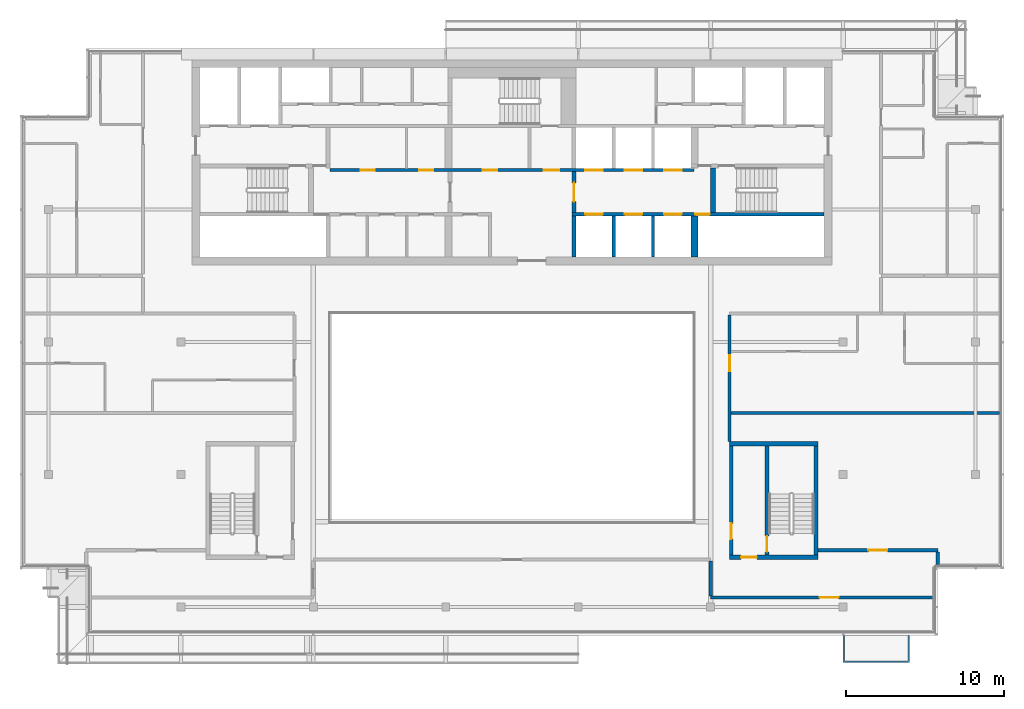
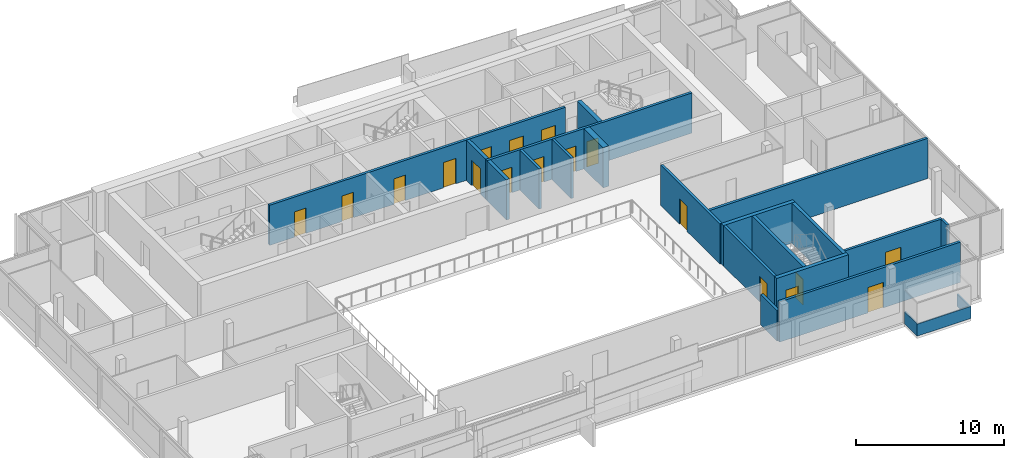
# One storey, part 13 of 22: 20 walls, 18 doors, 18 openings.
"""IFC4 building model written with IfcOpenShell, lengths in metres."""

from ifc_helpers import new_model, si_unit, direction, frame, frame_2d, origin, place, context, subcontext, project, spatial, polyline, rectangle, outline, extrude, material, layer, layer_set, type_object, element, fill, save


model = new_model("IFC4")

# Units and contexts
model_context = context("Model", 3, precision=1e-05, world=origin(), true_north=direction((0.0, 1.0)))
body_context = subcontext(model_context, "Body", "Model", "MODEL_VIEW")
ifc_project = project(units=[si_unit("LENGTHUNIT", "METRE"), si_unit("AREAUNIT", "SQUARE_METRE"), si_unit("VOLUMEUNIT", "CUBIC_METRE"), si_unit("PLANEANGLEUNIT", "RADIAN"), si_unit("MASSUNIT", "GRAM", prefix="KILO")], contexts=[model_context])

# Site, building, storey
site_placement = place(None, origin())
site = spatial("IfcSite", under=ifc_project, at=site_placement, CompositionType="ELEMENT")
building_placement = place(site_placement, origin())
building = spatial("IfcBuilding", under=site, at=building_placement, Name="Saffron Gate Tower", CompositionType="ELEMENT")
storey_placement = place(building_placement, frame((0.0, 0.0, 295.949951171875)))
storey = spatial("IfcBuildingStorey", under=building, at=storey_placement, Name="L72", CompositionType="ELEMENT", Elevation=295.949951171875)

# Wall, opening, door
ifc_material_1 = material(Name="Gypsum board partition on steel studs", Category="steel")
ifc_layer_1 = layer(ifc_material_1, 0.199951171875)
ifc_layer_set_1 = layer_set([ifc_layer_1], Name="CW10 Core partition 200")
wall_type_1 = type_object("IfcWallType", Name="CW10 Core partition 200", PredefinedType="PARTITIONING", material=ifc_layer_set_1)
wall_1_placement = place(storey_placement, frame((101.5, 43.5, 0.0), z_axis=(0.0, 0.0, 1.0), x_axis=(0.0, 1.0, 0.0)))
wall_1 = element("IfcWall", 1, at=wall_1_placement, inside=storey, type_object=wall_type_1, Name="Wall CW10-L72-E-2", PredefinedType="PARTITIONING", context=body_context, shape_type="SweptSolid", body=[
    extrude(rectangle(XDim=6.89990234375, YDim=0.199951171875, at=frame_2d((3.449951171875, 0.0))), origin(), (0.0, 0.0, 1.0), 3.320068359375),
])
opening_1_placement = place(wall_1_placement, frame((1.0, 0.0, 0.0)))
opening_1 = element("IfcOpeningElement", 2, at=opening_1_placement, cuts=wall_1, Name="Opening CR-22", PredefinedType="OPENING", context=body_context, shape_type="SweptSolid", body=[
    extrude(rectangle(XDim=1.0, YDim=2.10009765625, at=frame_2d((0.5, 1.050048828125))), frame((0.0, 0.10986328125, 0.0), z_axis=(0.0, -1.0, 0.0), x_axis=(1.0, 0.0, 0.0)), (0.0, 0.0, 1.0), 0.219970703125),
])
ifc_material_2 = material(Name="Steel fire door set", Category="steel")
door_type_1 = type_object("IfcDoorType", Name="CD4 Lobby door 1000x2100 EI 120", OperationType="NOTDEFINED", PredefinedType="DOOR", material=ifc_material_2)
door_1_placement = place(opening_1_placement, origin())
door_1 = element("IfcDoor", 3, at=door_1_placement, inside=storey, type_object=door_type_1, Name="DOOR CR-22", OperationType="SINGLE_SWING_LEFT", OverallHeight=2.10009765625, OverallWidth=1.0, PredefinedType="DOOR", context=body_context, shape_type="SweptSolid", body=[
    extrude(rectangle(XDim=1.0, YDim=2.10009765625, at=frame_2d((0.5, 1.050048828125))), frame((0.0, 0.02490234375, 0.0), z_axis=(0.0, -1.0, 0.0), x_axis=(1.0, 0.0, 0.0)), (0.0, 0.0, 1.0), 0.050048828125),
])
fill(opening_1, door_1)

# Wall
ifc_material_3 = material(Name="Concrete C50", Category="concrete")
ifc_layer_2 = layer(ifc_material_3, 0.25)
ifc_layer_set_2 = layer_set([ifc_layer_2], Name="CW23 RC core wall 250 C50")
wall_type_2 = type_object("IfcWallType", Name="CW23 RC core wall 250 C50", PredefinedType="SOLIDWALL", material=ifc_layer_set_2)
wall_2_placement = place(storey_placement, frame((91.52490234375, 62.39990234375, 0.0), z_axis=(0.0, 0.0, 1.0), x_axis=(0.0, 1.0, 0.0)))
element("IfcWall", 4, at=wall_2_placement, inside=storey, type_object=wall_type_2, Name="Wall CW23-L72-10", PredefinedType="SOLIDWALL", context=body_context, shape_type="SweptSolid", body=[
    extrude(rectangle(XDim=2.60009765625, YDim=0.25, at=frame_2d((1.300048828125, 0.0))), origin(), (0.0, 0.0, 1.0), 3.320068359375),
])

# Wall, opening, door
wall_3_placement = place(storey_placement, frame((91.52490234375, 65.199951171875, 0.0), z_axis=(0.0, 0.0, 1.0), x_axis=(0.0, 1.0, 0.0)))
wall_3 = element("IfcWall", 5, at=wall_3_placement, inside=storey, type_object=wall_type_2, Name="Wall CW23-L72-18", PredefinedType="SOLIDWALL", context=body_context, shape_type="SweptSolid", body=[
    extrude(rectangle(XDim=2.60009765625, YDim=0.25, at=frame_2d((1.300048828125, 0.0))), origin(), (0.0, 0.0, 1.0), 3.320068359375),
])
opening_2_placement = place(wall_3_placement, frame((0.699951171875, 0.0, 0.0)))
opening_2 = element("IfcOpeningElement", 6, at=opening_2_placement, cuts=wall_3, Name="Opening CR-01", PredefinedType="OPENING", context=body_context, shape_type="SweptSolid", body=[
    extrude(rectangle(XDim=1.199951171875, YDim=2.10009765625, at=frame_2d((0.60009765625, 1.050048828125))), frame((0.0, 0.135009765625, 0.0), z_axis=(0.0, -1.0, 0.0), x_axis=(1.0, 0.0, 0.0)), (0.0, 0.0, 1.0), 0.27001953125),
])
door_type_2 = type_object("IfcDoorType", Name="CD3 Lobby door 1200x2100 EI 120", OperationType="NOTDEFINED", PredefinedType="DOOR", material=ifc_material_2)
door_2_placement = place(opening_2_placement, origin())
door_2 = element("IfcDoor", 7, at=door_2_placement, inside=storey, type_object=door_type_2, Name="DOOR CR-01", OperationType="SINGLE_SWING_RIGHT", OverallHeight=2.10009765625, OverallWidth=1.199951171875, PredefinedType="DOOR", context=body_context, shape_type="SweptSolid", body=[
    extrude(rectangle(XDim=1.199951171875, YDim=2.10009765625, at=frame_2d((0.60009765625, 1.050048828125))), frame((0.0, 0.02490234375, 0.0), z_axis=(0.0, -1.0, 0.0), x_axis=(1.0, 0.0, 0.0)), (0.0, 0.0, 1.0), 0.050048828125),
])
fill(opening_2, door_2)

wall_4_placement = place(storey_placement, frame((103.77490234375, 43.5, 0.0), z_axis=(0.0, 0.0, 1.0), x_axis=(0.0, 1.0, 0.0)))
wall_4 = element("IfcWall", 8, at=wall_4_placement, inside=storey, type_object=wall_type_2, Name="Wall CW23-L72-E-3", PredefinedType="SOLIDWALL", context=body_context, shape_type="SweptSolid", body=[
    extrude(rectangle(XDim=6.89990234375, YDim=0.25, at=frame_2d((3.449951171875, 0.0))), origin(), (0.0, 0.0, 1.0), 3.320068359375),
])
opening_3_placement = place(wall_4_placement, frame((0.199951171875, 0.0, 0.0)))
opening_3 = element("IfcOpeningElement", 9, at=opening_3_placement, cuts=wall_4, Name="Opening CR-23", PredefinedType="OPENING", context=body_context, shape_type="SweptSolid", body=[
    extrude(rectangle(XDim=1.0, YDim=2.10009765625, at=frame_2d((0.5, 1.050048828125))), frame((0.0, 0.135009765625, 0.0), z_axis=(0.0, -1.0, 0.0), x_axis=(1.0, 0.0, 0.0)), (0.0, 0.0, 1.0), 0.27001953125),
])
door_type_3 = type_object("IfcDoorType", Name="CD5 Stair door 1000x2100 EI 120", OperationType="NOTDEFINED", PredefinedType="DOOR", material=ifc_material_2)
door_3_placement = place(opening_3_placement, origin())
door_3 = element("IfcDoor", 10, at=door_3_placement, inside=storey, type_object=door_type_3, Name="DOOR CR-23", OperationType="SINGLE_SWING_RIGHT", OverallHeight=2.10009765625, OverallWidth=1.0, PredefinedType="DOOR", context=body_context, shape_type="SweptSolid", body=[
    extrude(rectangle(XDim=1.0, YDim=2.10009765625, at=frame_2d((0.5, 1.050048828125))), frame((0.0, 0.02490234375, 0.0), z_axis=(0.0, -1.0, 0.0), x_axis=(1.0, 0.0, 0.0)), (0.0, 0.0, 1.0), 0.050048828125),
])
fill(opening_3, door_3)

# Walls
wall_5_placement = place(storey_placement, frame((106.875, 43.5, 0.0), z_axis=(0.0, 0.0, 1.0), x_axis=(0.0, 1.0, 0.0)))
element("IfcWall", 11, at=wall_5_placement, inside=storey, type_object=wall_type_2, Name="Wall CW23-L72-E-4", PredefinedType="SOLIDWALL", context=body_context, shape_type="SweptSolid", body=[
    extrude(rectangle(XDim=6.89990234375, YDim=0.25, at=frame_2d((3.449951171875, 0.0))), origin(), (0.0, 0.0, 1.0), 3.320068359375),
])
ifc_layer_3 = layer(ifc_material_3, 0.449951171875)
ifc_layer_set_3 = layer_set([ifc_layer_3], Name="CW24 RC core wall 450 C50")
wall_type_3 = type_object("IfcWallType", Name="CW24 RC core wall 450 C50", PredefinedType="SOLIDWALL", material=ifc_layer_set_3)
wall_6_placement = place(storey_placement, frame((99.175048828125, 62.39990234375, 0.0), z_axis=(0.0, 0.0, 1.0), x_axis=(0.0, 1.0, 0.0)))
element("IfcWall", 12, at=wall_6_placement, inside=storey, type_object=wall_type_3, Name="Wall CW24-L72-13", PredefinedType="SOLIDWALL", context=body_context, shape_type="SweptSolid", body=[
    extrude(rectangle(XDim=2.60009765625, YDim=0.449951171875, at=frame_2d((1.300048828125, 0.0))), origin(), (0.0, 0.0, 1.0), 3.320068359375),
])
ifc_layer_4 = layer(ifc_material_3, 0.199951171875)
ifc_layer_set_4 = layer_set([ifc_layer_4], Name="CW25 RC core wall 200 C50")
wall_type_4 = type_object("IfcWallType", Name="CW25 RC core wall 200 C50", PredefinedType="SOLIDWALL", material=ifc_layer_set_4)
for number, where, z_axis, x_axis, name in (
    (13, (94.050048828125, 62.39990234375, 0.0), (0.0, 0.0, 1.0), (0.0, 1.0, 0.0), "Wall CW25-L72-11"),
    (14, (96.550048828125, 62.39990234375, 0.0), (0.0, 0.0, 1.0), (0.0, 1.0, 0.0), "Wall CW25-L72-12"),
):
    element("IfcWall", number, at=place(storey_placement, frame(where, z_axis=z_axis, x_axis=x_axis)), inside=storey, type_object=wall_type_4, Name=name, PredefinedType="SOLIDWALL", context=body_context, shape_type="SweptSolid", body=[
        extrude(rectangle(XDim=2.60009765625, YDim=0.199951171875, at=frame_2d((1.300048828125, 0.0))), origin(), (0.0, 0.0, 1.0), 3.320068359375),
    ])

# Wall, openings, doors
wall_7_placement = place(storey_placement, frame((91.39990234375, 65.10009765625, 0.0), z_axis=(0.0, 0.0, 1.0), x_axis=(1.0, 0.0, 0.0)))
wall_7 = element("IfcWall", 15, at=wall_7_placement, inside=storey, type_object=wall_type_4, Name="Wall CW25-L72-15", PredefinedType="SOLIDWALL", context=body_context, shape_type="SweptSolid", body=[
    extrude(rectangle(XDim=16.0, YDim=0.199951171875, at=frame_2d((8.0, 0.0))), origin(), (0.0, 0.0, 1.0), 3.320068359375),
])
opening_4_placement = place(wall_7_placement, frame((0.85009765625, 0.0, 0.0)))
opening_4 = element("IfcOpeningElement", 16, at=opening_4_placement, cuts=wall_7, Name="Opening LD-HR1", PredefinedType="OPENING", context=body_context, shape_type="SweptSolid", body=[
    extrude(rectangle(XDim=1.10009765625, YDim=2.10009765625, at=frame_2d((0.550048828125, 1.050048828125))), frame((0.0, 0.10986328125, 0.0), z_axis=(0.0, -1.0, 0.0), x_axis=(1.0, 0.0, 0.0)), (0.0, 0.0, 1.0), 0.219970703125),
])
opening_5_placement = place(wall_7_placement, frame((3.35009765625, 0.0, 0.0)))
opening_5 = element("IfcOpeningElement", 17, at=opening_5_placement, cuts=wall_7, Name="Opening LD-HR2", PredefinedType="OPENING", context=body_context, shape_type="SweptSolid", body=[
    extrude(rectangle(XDim=1.10009765625, YDim=2.10009765625, at=frame_2d((0.550048828125, 1.050048828125))), frame((0.0, 0.10986328125, 0.0), z_axis=(0.0, -1.0, 0.0), x_axis=(1.0, 0.0, 0.0)), (0.0, 0.0, 1.0), 0.219970703125),
])
opening_6_placement = place(wall_7_placement, frame((5.85009765625, 0.0, 0.0)))
opening_6 = element("IfcOpeningElement", 18, at=opening_6_placement, cuts=wall_7, Name="Opening LD-HR3", PredefinedType="OPENING", context=body_context, shape_type="SweptSolid", body=[
    extrude(rectangle(XDim=1.10009765625, YDim=2.10009765625, at=frame_2d((0.550048828125, 1.050048828125))), frame((0.0, 0.10986328125, 0.0), z_axis=(0.0, -1.0, 0.0), x_axis=(1.0, 0.0, 0.0)), (0.0, 0.0, 1.0), 0.219970703125),
])
opening_7_placement = place(wall_7_placement, frame((7.830078125, 0.0, 0.0)))
opening_7 = element("IfcOpeningElement", 19, at=opening_7_placement, cuts=wall_7, Name="Opening CR-48", PredefinedType="OPENING", context=body_context, shape_type="SweptSolid", body=[
    extrude(rectangle(XDim=0.89990234375, YDim=2.10009765625, at=frame_2d((0.449951171875, 1.050048828125))), frame((0.0, 0.10986328125, 0.0), z_axis=(0.0, -1.0, 0.0), x_axis=(1.0, 0.0, 0.0)), (0.0, 0.0, 1.0), 0.219970703125),
])
door_type_4 = type_object("IfcDoorType", Name="CD2 Riser door 900x2100 EI 60", OperationType="NOTDEFINED", PredefinedType="DOOR", material=ifc_material_2)
door_4_placement = place(opening_7_placement, origin())
door_4 = element("IfcDoor", 20, at=door_4_placement, inside=storey, type_object=door_type_4, Name="DOOR CR-48", OperationType="SINGLE_SWING_RIGHT", OverallHeight=2.10009765625, OverallWidth=0.89990234375, PredefinedType="DOOR", context=body_context, shape_type="SweptSolid", body=[
    extrude(rectangle(XDim=0.89990234375, YDim=2.10009765625, at=frame_2d((0.449951171875, 1.050048828125))), frame((0.0, 0.02490234375, 0.0), z_axis=(0.0, -1.0, 0.0), x_axis=(1.0, 0.0, 0.0)), (0.0, 0.0, 1.0), 0.050048828125),
])
fill(opening_7, door_4)
ifc_material_4 = material(Name="Stainless steel landing door", Category="steel")
door_type_5 = type_object("IfcDoorType", Name="LD Lift landing door 1100x2100 EI 120", OperationType="SLIDING_TO_LEFT", PredefinedType="DOOR", material=ifc_material_4)
door_5_placement = place(opening_4_placement, origin())
door_5 = element("IfcDoor", 21, at=door_5_placement, inside=storey, type_object=door_type_5, Name="LANDING DOOR LD-HR1", OperationType="SLIDING_TO_LEFT", OverallHeight=2.10009765625, OverallWidth=1.10009765625, PredefinedType="DOOR", context=body_context, shape_type="SweptSolid", body=[
    extrude(rectangle(XDim=1.10009765625, YDim=2.10009765625, at=frame_2d((0.550048828125, 1.050048828125))), frame((0.0, 0.02490234375, 0.0), z_axis=(0.0, -1.0, 0.0), x_axis=(1.0, 0.0, 0.0)), (0.0, 0.0, 1.0), 0.050048828125),
])
fill(opening_4, door_5)
door_6_placement = place(opening_5_placement, origin())
door_6 = element("IfcDoor", 22, at=door_6_placement, inside=storey, type_object=door_type_5, Name="LANDING DOOR LD-HR2", OperationType="SLIDING_TO_LEFT", OverallHeight=2.10009765625, OverallWidth=1.10009765625, PredefinedType="DOOR", context=body_context, shape_type="SweptSolid", body=[
    extrude(rectangle(XDim=1.10009765625, YDim=2.10009765625, at=frame_2d((0.550048828125, 1.050048828125))), frame((0.0, 0.02490234375, 0.0), z_axis=(0.0, -1.0, 0.0), x_axis=(1.0, 0.0, 0.0)), (0.0, 0.0, 1.0), 0.050048828125),
])
fill(opening_5, door_6)
door_7_placement = place(opening_6_placement, origin())
door_7 = element("IfcDoor", 23, at=door_7_placement, inside=storey, type_object=door_type_5, Name="LANDING DOOR LD-HR3", OperationType="SLIDING_TO_LEFT", OverallHeight=2.10009765625, OverallWidth=1.10009765625, PredefinedType="DOOR", context=body_context, shape_type="SweptSolid", body=[
    extrude(rectangle(XDim=1.10009765625, YDim=2.10009765625, at=frame_2d((0.550048828125, 1.050048828125))), frame((0.0, 0.02490234375, 0.0), z_axis=(0.0, -1.0, 0.0), x_axis=(1.0, 0.0, 0.0)), (0.0, 0.0, 1.0), 0.050048828125),
])
fill(opening_6, door_7)

wall_8_placement = place(storey_placement, frame((76.050048828125, 67.89990234375, 0.0), z_axis=(0.0, 0.0, 1.0), x_axis=(1.0, 0.0, 0.0)))
wall_8 = element("IfcWall", 24, at=wall_8_placement, inside=storey, type_object=wall_type_4, Name="Wall CW25-L72-20", PredefinedType="SOLIDWALL", context=body_context, shape_type="SweptSolid", body=[
    extrude(rectangle(XDim=23.099853515625, YDim=0.199951171875, at=frame_2d((11.5498046875, 0.0))), origin(), (0.0, 0.0, 1.0), 3.320068359375),
])
opening_8_placement = place(wall_8_placement, frame((1.949951171875, 0.0, 0.0)))
opening_8 = element("IfcOpeningElement", 25, at=opening_8_placement, cuts=wall_8, Name="Opening CR-61", PredefinedType="OPENING", context=body_context, shape_type="SweptSolid", body=[
    extrude(rectangle(XDim=0.89990234375, YDim=2.10009765625, at=frame_2d((0.449951171875, 1.050048828125))), frame((0.0, 0.10986328125, 0.0), z_axis=(0.0, -1.0, 0.0), x_axis=(1.0, 0.0, 0.0)), (0.0, 0.0, 1.0), 0.219970703125),
])
opening_9_placement = place(wall_8_placement, frame((5.659912109375, 0.0, 0.0)))
opening_9 = element("IfcOpeningElement", 26, at=opening_9_placement, cuts=wall_8, Name="Opening CR-62", PredefinedType="OPENING", context=body_context, shape_type="SweptSolid", body=[
    extrude(rectangle(XDim=0.89990234375, YDim=2.10009765625, at=frame_2d((0.449951171875, 1.050048828125))), frame((0.0, 0.10986328125, 0.0), z_axis=(0.0, -1.0, 0.0), x_axis=(1.0, 0.0, 0.0)), (0.0, 0.0, 1.0), 0.219970703125),
])
opening_10_placement = place(wall_8_placement, frame((9.699951171875, 0.0, 0.0)))
opening_10 = element("IfcOpeningElement", 27, at=opening_10_placement, cuts=wall_8, Name="Opening CR-67", PredefinedType="OPENING", context=body_context, shape_type="SweptSolid", body=[
    extrude(rectangle(XDim=0.89990234375, YDim=2.10009765625, at=frame_2d((0.449951171875, 1.050048828125))), frame((0.0, 0.10986328125, 0.0), z_axis=(0.0, -1.0, 0.0), x_axis=(1.0, 0.0, 0.0)), (0.0, 0.0, 1.0), 0.219970703125),
])
opening_11_placement = place(wall_8_placement, frame((13.550048828125, 0.0, 0.0)))
opening_11 = element("IfcOpeningElement", 28, at=opening_11_placement, cuts=wall_8, Name="Opening CR-02", PredefinedType="OPENING", context=body_context, shape_type="SweptSolid", body=[
    extrude(rectangle(XDim=1.0, YDim=2.10009765625, at=frame_2d((0.5, 1.050048828125))), frame((0.0, 0.10986328125, 0.0), z_axis=(0.0, -1.0, 0.0), x_axis=(1.0, 0.0, 0.0)), (0.0, 0.0, 1.0), 0.219970703125),
])
opening_12_placement = place(wall_8_placement, frame((16.199951171875, 0.0, 0.0)))
opening_12 = element("IfcOpeningElement", 29, at=opening_12_placement, cuts=wall_8, Name="Opening LD-HR4", PredefinedType="OPENING", context=body_context, shape_type="SweptSolid", body=[
    extrude(rectangle(XDim=1.10009765625, YDim=2.10009765625, at=frame_2d((0.550048828125, 1.050048828125))), frame((0.0, 0.10986328125, 0.0), z_axis=(0.0, -1.0, 0.0), x_axis=(1.0, 0.0, 0.0)), (0.0, 0.0, 1.0), 0.219970703125),
])
opening_13_placement = place(wall_8_placement, frame((18.699951171875, 0.0, 0.0)))
opening_13 = element("IfcOpeningElement", 30, at=opening_13_placement, cuts=wall_8, Name="Opening LD-HR5", PredefinedType="OPENING", context=body_context, shape_type="SweptSolid", body=[
    extrude(rectangle(XDim=1.10009765625, YDim=2.10009765625, at=frame_2d((0.550048828125, 1.050048828125))), frame((0.0, 0.10986328125, 0.0), z_axis=(0.0, -1.0, 0.0), x_axis=(1.0, 0.0, 0.0)), (0.0, 0.0, 1.0), 0.219970703125),
])
opening_14_placement = place(wall_8_placement, frame((21.199951171875, 0.0, 0.0)))
opening_14 = element("IfcOpeningElement", 31, at=opening_14_placement, cuts=wall_8, Name="Opening LD-HR6", PredefinedType="OPENING", context=body_context, shape_type="SweptSolid", body=[
    extrude(rectangle(XDim=1.10009765625, YDim=2.10009765625, at=frame_2d((0.550048828125, 1.050048828125))), frame((0.0, 0.10986328125, 0.0), z_axis=(0.0, -1.0, 0.0), x_axis=(1.0, 0.0, 0.0)), (0.0, 0.0, 1.0), 0.219970703125),
])
door_8_placement = place(opening_11_placement, origin())
door_8 = element("IfcDoor", 32, at=door_8_placement, inside=storey, type_object=door_type_1, Name="DOOR CR-02", OperationType="SINGLE_SWING_LEFT", OverallHeight=2.10009765625, OverallWidth=1.0, PredefinedType="DOOR", context=body_context, shape_type="SweptSolid", body=[
    extrude(rectangle(XDim=1.0, YDim=2.10009765625, at=frame_2d((0.5, 1.050048828125))), frame((0.0, 0.02490234375, 0.0), z_axis=(0.0, -1.0, 0.0), x_axis=(1.0, 0.0, 0.0)), (0.0, 0.0, 1.0), 0.050048828125),
])
fill(opening_11, door_8)
door_type_6 = type_object("IfcDoorType", Name="CD9 Room door 900x2100 EI 60", OperationType="NOTDEFINED", PredefinedType="DOOR", material=ifc_material_2)
door_9_placement = place(opening_8_placement, origin())
door_9 = element("IfcDoor", 33, at=door_9_placement, inside=storey, type_object=door_type_6, Name="DOOR CR-61", OperationType="SINGLE_SWING_LEFT", OverallHeight=2.10009765625, OverallWidth=0.89990234375, PredefinedType="DOOR", context=body_context, shape_type="SweptSolid", body=[
    extrude(rectangle(XDim=0.89990234375, YDim=2.10009765625, at=frame_2d((0.449951171875, 1.050048828125))), frame((0.0, 0.02490234375, 0.0), z_axis=(0.0, -1.0, 0.0), x_axis=(1.0, 0.0, 0.0)), (0.0, 0.0, 1.0), 0.050048828125),
])
fill(opening_8, door_9)
door_10_placement = place(opening_9_placement, origin())
door_10 = element("IfcDoor", 34, at=door_10_placement, inside=storey, type_object=door_type_6, Name="DOOR CR-62", OperationType="SINGLE_SWING_LEFT", OverallHeight=2.10009765625, OverallWidth=0.89990234375, PredefinedType="DOOR", context=body_context, shape_type="SweptSolid", body=[
    extrude(rectangle(XDim=0.89990234375, YDim=2.10009765625, at=frame_2d((0.449951171875, 1.050048828125))), frame((0.0, 0.02490234375, 0.0), z_axis=(0.0, -1.0, 0.0), x_axis=(1.0, 0.0, 0.0)), (0.0, 0.0, 1.0), 0.050048828125),
])
fill(opening_9, door_10)
door_11_placement = place(opening_10_placement, origin())
door_11 = element("IfcDoor", 35, at=door_11_placement, inside=storey, type_object=door_type_6, Name="DOOR CR-67", OperationType="SINGLE_SWING_LEFT", OverallHeight=2.10009765625, OverallWidth=0.89990234375, PredefinedType="DOOR", context=body_context, shape_type="SweptSolid", body=[
    extrude(rectangle(XDim=0.89990234375, YDim=2.10009765625, at=frame_2d((0.449951171875, 1.050048828125))), frame((0.0, 0.02490234375, 0.0), z_axis=(0.0, -1.0, 0.0), x_axis=(1.0, 0.0, 0.0)), (0.0, 0.0, 1.0), 0.050048828125),
])
fill(opening_10, door_11)
door_12_placement = place(opening_12_placement, origin())
door_12 = element("IfcDoor", 36, at=door_12_placement, inside=storey, type_object=door_type_5, Name="LANDING DOOR LD-HR4", OperationType="SLIDING_TO_RIGHT", OverallHeight=2.10009765625, OverallWidth=1.10009765625, PredefinedType="DOOR", context=body_context, shape_type="SweptSolid", body=[
    extrude(rectangle(XDim=1.10009765625, YDim=2.10009765625, at=frame_2d((0.550048828125, 1.050048828125))), frame((0.0, 0.02490234375, 0.0), z_axis=(0.0, -1.0, 0.0), x_axis=(1.0, 0.0, 0.0)), (0.0, 0.0, 1.0), 0.050048828125),
])
fill(opening_12, door_12)
door_13_placement = place(opening_13_placement, origin())
door_13 = element("IfcDoor", 37, at=door_13_placement, inside=storey, type_object=door_type_5, Name="LANDING DOOR LD-HR5", OperationType="SLIDING_TO_RIGHT", OverallHeight=2.10009765625, OverallWidth=1.10009765625, PredefinedType="DOOR", context=body_context, shape_type="SweptSolid", body=[
    extrude(rectangle(XDim=1.10009765625, YDim=2.10009765625, at=frame_2d((0.550048828125, 1.050048828125))), frame((0.0, 0.02490234375, 0.0), z_axis=(0.0, -1.0, 0.0), x_axis=(1.0, 0.0, 0.0)), (0.0, 0.0, 1.0), 0.050048828125),
])
fill(opening_13, door_13)
door_14_placement = place(opening_14_placement, origin())
door_14 = element("IfcDoor", 38, at=door_14_placement, inside=storey, type_object=door_type_5, Name="LANDING DOOR LD-HR6", OperationType="SLIDING_TO_RIGHT", OverallHeight=2.10009765625, OverallWidth=1.10009765625, PredefinedType="DOOR", context=body_context, shape_type="SweptSolid", body=[
    extrude(rectangle(XDim=1.10009765625, YDim=2.10009765625, at=frame_2d((0.550048828125, 1.050048828125))), frame((0.0, 0.02490234375, 0.0), z_axis=(0.0, -1.0, 0.0), x_axis=(1.0, 0.0, 0.0)), (0.0, 0.0, 1.0), 0.050048828125),
])
fill(opening_14, door_14)

# Wall
ifc_layer_5 = layer(ifc_material_3, 0.300048828125)
ifc_layer_set_5 = layer_set([ifc_layer_5], Name="CW26 RC core wall 300 C50")
wall_type_5 = type_object("IfcWallType", Name="CW26 RC core wall 300 C50", PredefinedType="SOLIDWALL", material=ifc_layer_set_5)
wall_9_placement = place(storey_placement, frame((100.35009765625, 65.199951171875, 0.0), z_axis=(0.0, 0.0, 1.0), x_axis=(0.0, 1.0, 0.0)))
element("IfcWall", 39, at=wall_9_placement, inside=storey, type_object=wall_type_5, Name="Wall CW26-L72-19", PredefinedType="SOLIDWALL", context=body_context, shape_type="SweptSolid", body=[
    extrude(rectangle(XDim=2.85009765625, YDim=0.300048828125, at=frame_2d((1.425048828125, 0.0))), origin(), (0.0, 0.0, 1.0), 3.320068359375),
])

# Wall, opening, door
wall_10_placement = place(storey_placement, frame((101.39990234375, 43.35009765625, 0.0), z_axis=(0.0, 0.0, 1.0), x_axis=(1.0, 0.0, 0.0)))
wall_10 = element("IfcWall", 40, at=wall_10_placement, inside=storey, type_object=wall_type_5, Name="Wall CW26-L72-E-1", PredefinedType="SOLIDWALL", context=body_context, shape_type="SweptSolid", body=[
    extrude(rectangle(XDim=5.60009765625, YDim=0.300048828125, at=frame_2d((2.800048828125, 0.0))), origin(), (0.0, 0.0, 1.0), 3.320068359375),
])
opening_15_placement = place(wall_10_placement, frame((0.72509765625, 0.0, 0.0)))
opening_15 = element("IfcOpeningElement", 41, at=opening_15_placement, cuts=wall_10, Name="Opening CR-21", PredefinedType="OPENING", context=body_context, shape_type="SweptSolid", body=[
    extrude(rectangle(XDim=1.0, YDim=2.10009765625, at=frame_2d((0.5, 1.050048828125))), frame((0.0, 0.16015625, 0.0), z_axis=(0.0, -1.0, 0.0), x_axis=(1.0, 0.0, 0.0)), (0.0, 0.0, 1.0), 0.320068359375),
])
door_15_placement = place(opening_15_placement, origin())
door_15 = element("IfcDoor", 42, at=door_15_placement, inside=storey, type_object=door_type_1, Name="DOOR CR-21", OperationType="SINGLE_SWING_RIGHT", OverallHeight=2.10009765625, OverallWidth=1.0, PredefinedType="DOOR", context=body_context, shape_type="SweptSolid", body=[
    extrude(rectangle(XDim=1.0, YDim=2.10009765625, at=frame_2d((0.5, 1.050048828125))), frame((0.0, 0.02490234375, 0.0), z_axis=(0.0, -1.0, 0.0), x_axis=(1.0, 0.0, 0.0)), (0.0, 0.0, 1.0), 0.050048828125),
])
fill(opening_15, door_15)

# Wall
wall_11_placement = place(storey_placement, frame((101.39990234375, 50.550048828125, 0.0), z_axis=(0.0, 0.0, 1.0), x_axis=(1.0, 0.0, 0.0)))
element("IfcWall", 43, at=wall_11_placement, inside=storey, type_object=wall_type_5, Name="Wall CW26-L72-E-5", PredefinedType="SOLIDWALL", context=body_context, shape_type="SweptSolid", body=[
    extrude(rectangle(XDim=5.60009765625, YDim=0.300048828125, at=frame_2d((2.800048828125, 0.0))), origin(), (0.0, 0.0, 1.0), 3.320068359375),
])

# Wall, opening, door
ifc_material_5 = material(Name="Clay brick masonry, rendered", Category="masonry")
ifc_layer_6 = layer(ifc_material_5, 0.199951171875)
ifc_layer_set_6 = layer_set([ifc_layer_6], Name="PW3 Corridor wall 200")
wall_type_6 = type_object("IfcWallType", Name="PW3 Corridor wall 200", PredefinedType="PARTITIONING", material=ifc_layer_set_6)
wall_12_placement = place(storey_placement, frame((114.320068359375, 40.800048828125, 0.0), z_axis=(0.0, 0.0, 1.0), x_axis=(-1.0, 0.0, 0.0)))
wall_12 = element("IfcWall", 44, at=wall_12_placement, inside=storey, type_object=wall_type_6, Name="Wall E5-2", PredefinedType="PARTITIONING", context=body_context, shape_type="SweptSolid", body=[
    extrude(rectangle(XDim=14.1201171875, YDim=0.199951171875, at=frame_2d((7.06005859375, 0.0))), origin(), (0.0, 0.0, 1.0), 3.320068359375),
])
opening_16_placement = place(wall_12_placement, frame((6.010009765625, 0.0, 0.0)))
opening_16 = element("IfcOpeningElement", 45, at=opening_16_placement, cuts=wall_12, Name="Opening E5-16", PredefinedType="OPENING", context=body_context, shape_type="SweptSolid", body=[
    extrude(rectangle(XDim=1.199951171875, YDim=2.10009765625, at=frame_2d((0.60009765625, 1.050048828125))), frame((0.0, 0.10986328125, 0.0), z_axis=(0.0, -1.0, 0.0), x_axis=(1.0, 0.0, 0.0)), (0.0, 0.0, 1.0), 0.219970703125),
])
ifc_material_6 = material(Name="Timber door set", Category="wood")
door_type_7 = type_object("IfcDoorType", Name="HD1 Hall door 1200x2100", OperationType="NOTDEFINED", PredefinedType="DOOR", material=ifc_material_6)
door_16_placement = place(opening_16_placement, origin())
door_16 = element("IfcDoor", 46, at=door_16_placement, inside=storey, type_object=door_type_7, Name="Door E5-16", OperationType="SINGLE_SWING_RIGHT", OverallHeight=2.10009765625, OverallWidth=1.199951171875, PredefinedType="DOOR", context=body_context, shape_type="SweptSolid", body=[
    extrude(rectangle(XDim=1.199951171875, YDim=2.10009765625, at=frame_2d((0.60009765625, 1.050048828125))), frame((0.0, 0.02490234375, 0.0), z_axis=(0.0, -1.0, 0.0), x_axis=(1.0, 0.0, 0.0)), (0.0, 0.0, 1.0), 0.050048828125),
])
fill(opening_16, door_16)

wall_13_placement = place(storey_placement, frame((107.0, 43.800048828125, 0.0), z_axis=(0.0, 0.0, 1.0), x_axis=(1.0, 0.0, 0.0)))
wall_13 = element("IfcWall", 47, at=wall_13_placement, inside=storey, type_object=wall_type_6, Name="Wall E5-5", PredefinedType="PARTITIONING", context=body_context, shape_type="SweptSolid", body=[
    extrude(rectangle(XDim=7.60009765625, YDim=0.199951171875, at=frame_2d((3.800048828125, 0.0))), origin(), (0.0, 0.0, 1.0), 3.320068359375),
])
opening_17_placement = place(wall_13_placement, frame((3.199951171875, 0.0, 0.0)))
opening_17 = element("IfcOpeningElement", 48, at=opening_17_placement, cuts=wall_13, Name="Opening E5-15", PredefinedType="OPENING", context=body_context, shape_type="SweptSolid", body=[
    extrude(rectangle(XDim=1.199951171875, YDim=2.10009765625, at=frame_2d((0.60009765625, 1.050048828125))), frame((0.0, 0.10986328125, 0.0), z_axis=(0.0, -1.0, 0.0), x_axis=(1.0, 0.0, 0.0)), (0.0, 0.0, 1.0), 0.219970703125),
])
door_17_placement = place(opening_17_placement, origin())
door_17 = element("IfcDoor", 49, at=door_17_placement, inside=storey, type_object=door_type_7, Name="Door E5-15", OperationType="SINGLE_SWING_LEFT", OverallHeight=2.10009765625, OverallWidth=1.199951171875, PredefinedType="DOOR", context=body_context, shape_type="SweptSolid", body=[
    extrude(rectangle(XDim=1.199951171875, YDim=2.10009765625, at=frame_2d((0.60009765625, 1.050048828125))), frame((0.0, 0.02490234375, 0.0), z_axis=(0.0, -1.0, 0.0), x_axis=(1.0, 0.0, 0.0)), (0.0, 0.0, 1.0), 0.050048828125),
])
fill(opening_17, door_17)

# Wall
wall_14_placement = place(storey_placement, frame((100.199951171875, 43.10009765625, 0.0), z_axis=(0.0, 0.0, 1.0), x_axis=(0.0, -1.0, 0.0)))
element("IfcWall", 50, at=wall_14_placement, inside=storey, type_object=wall_type_6, Name="Wall E5-38", PredefinedType="PARTITIONING", context=body_context, shape_type="SweptSolid", body=[
    extrude(rectangle(XDim=2.2001953125, YDim=0.199951171875, at=frame_2d((1.10009765625, 0.0))), origin(), (0.0, 0.0, 1.0), 2.530029296875),
])

# Wall, opening, door
wall_15_placement = place(storey_placement, frame((101.39990234375, 58.699951171875, 0.0), z_axis=(0.0, 0.0, 1.0), x_axis=(0.0, -1.0, 0.0)))
wall_15 = element("IfcWall", 51, at=wall_15_placement, inside=storey, type_object=wall_type_6, Name="Wall E5-39", PredefinedType="PARTITIONING", context=body_context, shape_type="SweptSolid", body=[
    extrude(rectangle(XDim=8.0, YDim=0.199951171875, at=frame_2d((4.0, 0.0))), origin(), (0.0, 0.0, 1.0), 3.320068359375),
])
opening_18_placement = place(wall_15_placement, frame((2.550048828125, 0.0, 0.0)))
opening_18 = element("IfcOpeningElement", 52, at=opening_18_placement, cuts=wall_15, Name="Opening E5-3", PredefinedType="OPENING", context=body_context, shape_type="SweptSolid", body=[
    extrude(rectangle(XDim=1.0, YDim=2.10009765625, at=frame_2d((0.5, 1.050048828125))), frame((0.0, 0.10986328125, 0.0), z_axis=(0.0, -1.0, 0.0), x_axis=(1.0, 0.0, 0.0)), (0.0, 0.0, 1.0), 0.219970703125),
])
ifc_material_7 = material(Name="Timber fire door set", Category="wood")
door_type_8 = type_object("IfcDoorType", Name="FD1 Flat entry door 1000x2100", OperationType="NOTDEFINED", PredefinedType="DOOR", material=ifc_material_7)
door_18_placement = place(opening_18_placement, origin())
door_18 = element("IfcDoor", 53, at=door_18_placement, inside=storey, type_object=door_type_8, Name="Door E5-3", OperationType="SINGLE_SWING_LEFT", OverallHeight=2.10009765625, OverallWidth=1.0, PredefinedType="DOOR", context=body_context, shape_type="SweptSolid", body=[
    extrude(rectangle(XDim=1.0, YDim=2.10009765625, at=frame_2d((0.5, 1.050048828125))), frame((0.0, 0.02490234375, 0.0), z_axis=(0.0, -1.0, 0.0), x_axis=(1.0, 0.0, 0.0)), (0.0, 0.0, 1.0), 0.050048828125),
])
fill(opening_18, door_18)

# Walls
wall_16_placement = place(storey_placement, frame((114.60009765625, 43.699951171875, 0.0), z_axis=(0.0, 0.0, 1.0), x_axis=(0.0, -1.0, 0.0)))
element("IfcWall", 54, at=wall_16_placement, inside=storey, type_object=wall_type_6, Name="Wall E5-46", PredefinedType="PARTITIONING", context=body_context, shape_type="SweptSolid", body=[
    extrude(rectangle(XDim=0.820068359375, YDim=0.199951171875, at=frame_2d((0.41015625, 0.0))), origin(), (0.0, 0.0, 1.0), 3.320068359375),
])
ifc_layer_7 = layer(ifc_material_5, 0.199951171875)
ifc_layer_set_7 = layer_set([ifc_layer_7], Name="PW5 Room wall 200")
wall_type_7 = type_object("IfcWallType", Name="PW5 Room wall 200", PredefinedType="PARTITIONING", material=ifc_layer_set_7)
wall_17_placement = place(storey_placement, frame((101.5, 52.5, 0.0), z_axis=(0.0, 0.0, 1.0), x_axis=(1.0, 0.0, 0.0)))
element("IfcWall", 55, at=wall_17_placement, inside=storey, type_object=wall_type_7, Name="Wall E5-7", PredefinedType="PARTITIONING", context=body_context, shape_type="SweptSolid", body=[
    extrude(rectangle(XDim=17.02001953125, YDim=0.199951171875, at=frame_2d((8.510009765625, 0.0))), origin(), (0.0, 0.0, 1.0), 3.320068359375),
])
ifc_material_8 = material(Name="Rendered insulated panel, white")
ifc_layer_8 = layer(ifc_material_8, 0.10009765625)
ifc_layer_set_8 = layer_set([ifc_layer_8], Name="WB3 box parapet white")
wall_type_8 = type_object("IfcWallType", Name="WB3 box parapet white", PredefinedType="SOLIDWALL", material=ifc_layer_set_8)
wall_18_placement = place(storey_placement, origin())
element("IfcWall", 56, at=wall_18_placement, inside=storey, type_object=wall_type_8, Name="WINDOW BOX parapet", PredefinedType="SOLIDWALL", context=body_context, shape_type="SweptSolid", body=[
    extrude(outline(polyline([(108.60009765625, 38.39990234375), (108.699951171875, 38.39990234375), (108.699951171875, 36.76708984375), (112.699951171875, 36.76708984375), (112.699951171875, 38.39990234375), (112.800048828125, 38.39990234375), (112.800048828125, 36.6669921875), (108.60009765625, 36.6669921875), (108.60009765625, 38.39990234375)])), origin(), (0.0, 0.0, 1.0), 1.0),
])

save(model, "model.ifc")
